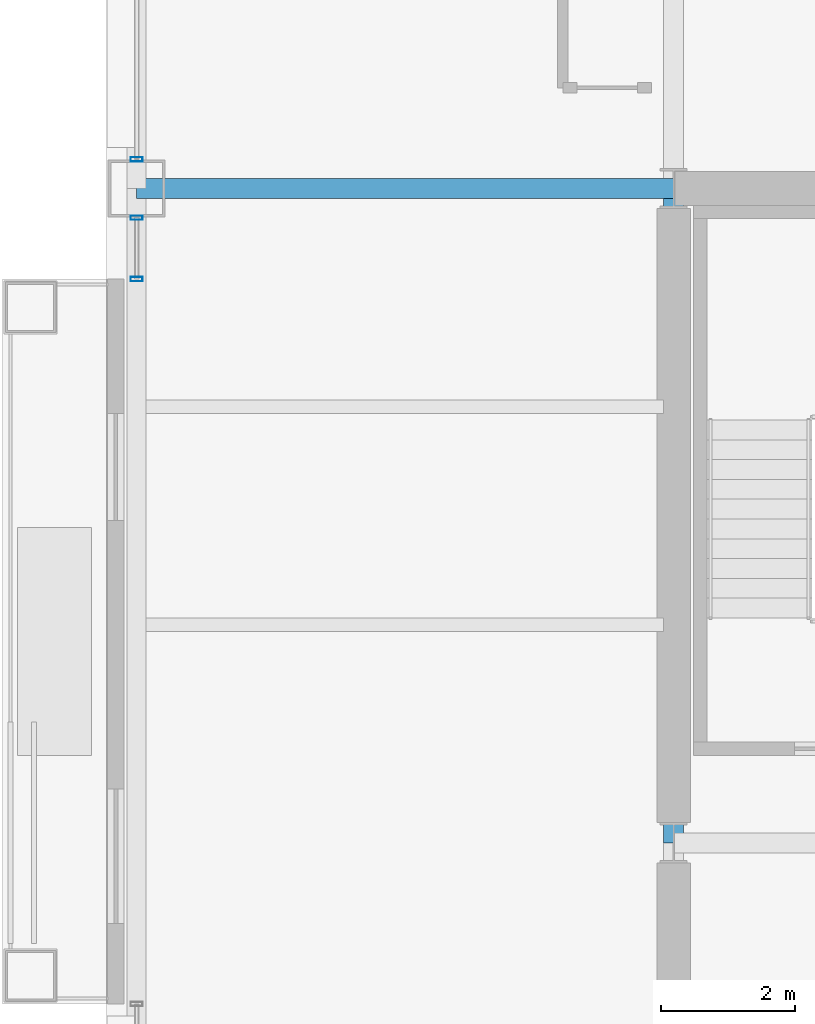
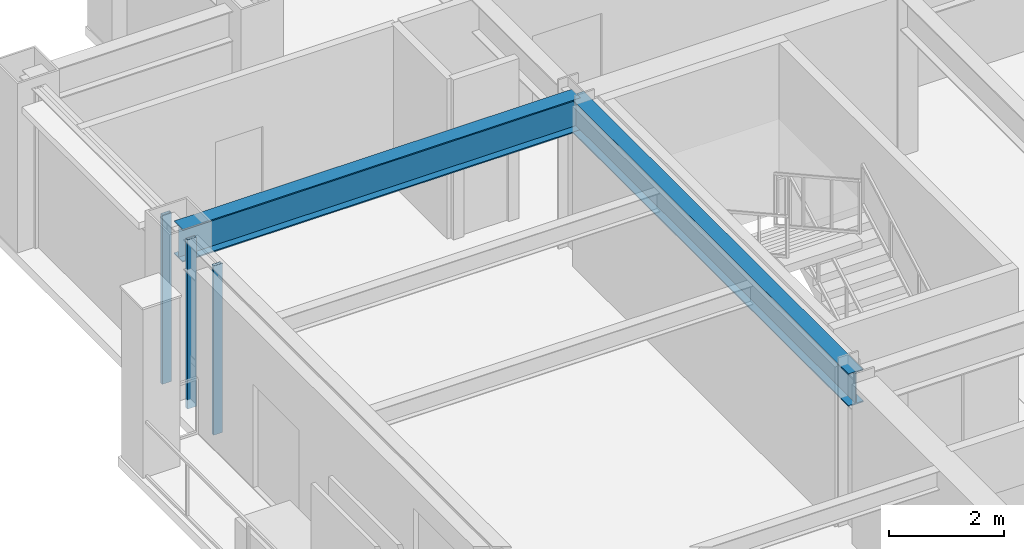
# One storey, part 11 of 31: 3 members, 2 beams, 2 elements without a shape of their own.
"""IFC4 building model written with IfcOpenShell, lengths in metres."""

from ifc_helpers import new_model, si_unit, direction, frame, origin, origin_2d, place, context, subcontext, project, spatial, hollow_rectangle, i_section, extrude, material, layer, layer_set, material_profile, profile_set, type_object, element, aggregate, save


model = new_model("IFC4")

# Units and contexts
model_context = context("Model", 3, precision=1e-05, world=origin(), true_north=direction((0.0, 1.0)))
body_context = subcontext(model_context, "Body", "Model", "MODEL_VIEW")
ifc_project = project(units=[si_unit("LENGTHUNIT", "METRE"), si_unit("AREAUNIT", "SQUARE_METRE"), si_unit("VOLUMEUNIT", "CUBIC_METRE"), si_unit("PLANEANGLEUNIT", "RADIAN"), si_unit("MASSUNIT", "GRAM", prefix="KILO")], contexts=[model_context])

# Site, building, storey
site_placement = place(None, origin())
site = spatial("IfcSite", under=ifc_project, at=site_placement, CompositionType="ELEMENT")
building_placement = place(site_placement, origin())
building = spatial("IfcBuilding", under=site, at=building_placement, Name="Brelmoor Portico Tower", CompositionType="ELEMENT")
storey_placement = place(building_placement, frame((0.0, 0.0, 106.199951171875)))
storey = spatial("IfcBuildingStorey", under=building, at=storey_placement, Name="L27", CompositionType="ELEMENT", Elevation=106.199951171875)

# Beams
ifc_material_1 = material(Name="Steel Q355B", Category="steel")
ifc_material_profile_1 = material_profile(ifc_material_1, i_section(OverallWidth=0.300048828125, OverallDepth=0.699951171875, WebThickness=0.012939453125, FlangeThickness=0.02392578125, at=origin_2d()), Name="HN 700x300x13x24")
ifc_profile_set_1 = profile_set([ifc_material_profile_1], Name="Steel Q355B")
beam_type = type_object("IfcBeamType", Name="BM-PG-700", PredefinedType="BEAM", material=ifc_profile_set_1)
beam_1_placement = place(storey_placement, frame((-14.550048828125, 0.0, 3.050048828125), z_axis=(0.0, 1.0, 0.0), x_axis=(-1.0, 0.0, 0.0)))
element("IfcBeam", 1, at=beam_1_placement, inside=storey, type_object=beam_type, Name="L27 Primary Floor Girder PG-03", PredefinedType="BEAM", context=body_context, shape_type="SweptSolid", body=[
    extrude(i_section(OverallWidth=0.300048828125, OverallDepth=0.699951171875, WebThickness=0.012939453125, FlangeThickness=0.02392578125, at=origin_2d()), origin(), (0.0, 0.0, 1.0), 9.75),
])
beam_2_placement = place(storey_placement, frame((-22.550048828125, 9.75, 3.050048828125), z_axis=(1.0, 0.0, 0.0), x_axis=(0.0, 1.0, 0.0)))
element("IfcBeam", 2, at=beam_2_placement, inside=storey, type_object=beam_type, Name="L27 Primary Floor Girder PG-22", PredefinedType="BEAM", context=body_context, shape_type="SweptSolid", body=[
    extrude(i_section(OverallWidth=0.300048828125, OverallDepth=0.699951171875, WebThickness=0.012939453125, FlangeThickness=0.02392578125, at=origin_2d()), origin(), (0.0, 0.0, 1.0), 8.0),
])

# Curtain wall, members
ifc_material_2 = material(Name="Anodised Aluminium Alloy 6063-T6", Category="aluminium")
ifc_layer_1 = layer(ifc_material_2, 0.179931640625)
ifc_layer_set_1 = layer_set([ifc_layer_1], Name="Anodised Aluminium Alloy 6063-T6")
curtain_wall_type_1 = type_object("IfcCurtainWallType", Name="CW-TOWER-Z2", PredefinedType="NOTDEFINED", material=ifc_layer_set_1)
curtain_wall_1_placement = place(storey_placement, origin())
curtain_wall_1 = element("IfcCurtainWall", 3, at=curtain_wall_1_placement, inside=storey, type_object=curtain_wall_type_1, Name="L27 Curtain Wall CW-L27-3R-1", PredefinedType="NOTDEFINED")
ifc_material_profile_2 = material_profile(ifc_material_2, hollow_rectangle(XDim=0.06494140625, YDim=0.179931640625, WallThickness=0.00390625, at=origin_2d()), Name="ALU MULLION 65x180")
ifc_profile_set_2 = profile_set([ifc_material_profile_2], Name="Anodised Aluminium Alloy 6063-T6")
member_type = type_object("IfcMemberType", Name="MB-CW-MULL-180", PredefinedType="MULLION", material=ifc_profile_set_2)
member_1_placement = place(storey_placement, frame((-22.550048828125, 8.39990234375, -0.199951171875), z_axis=(0.0, 0.0, 1.0), x_axis=(0.0, 1.0, 0.0)))
member_1 = element("IfcMember", 4, at=member_1_placement, type_object=member_type, Name="CW-L27-3R-1 Mullion 00", PredefinedType="MULLION", context=body_context, shape_type="SweptSolid", body=[
    extrude(hollow_rectangle(XDim=0.06494140625, YDim=0.179931640625, WallThickness=0.00390625, at=origin_2d()), origin(), (0.0, 0.0, 1.0), 3.60009765625),
])
member_2_placement = place(storey_placement, frame((-22.550048828125, 9.31494140625, -0.199951171875), z_axis=(0.0, 0.0, 1.0), x_axis=(0.0, 1.0, 0.0)))
member_2 = element("IfcMember", 5, at=member_2_placement, type_object=member_type, Name="CW-L27-3R-1 Mullion 01", PredefinedType="MULLION", context=body_context, shape_type="SweptSolid", body=[
    extrude(hollow_rectangle(XDim=0.06494140625, YDim=0.179931640625, WallThickness=0.00390625, at=origin_2d()), origin(), (0.0, 0.0, 1.0), 3.60009765625),
])
aggregate(curtain_wall_1, [member_1, member_2])

# Curtain wall, member
ifc_layer_2 = layer(ifc_material_2, 0.179931640625)
ifc_layer_set_2 = layer_set([ifc_layer_2], Name="Anodised Aluminium Alloy 6063-T6")
curtain_wall_type_2 = type_object("IfcCurtainWallType", Name="CW-TOWER-Z2-XB", PredefinedType="NOTDEFINED", material=ifc_layer_set_2)
curtain_wall_2_placement = place(storey_placement, origin())
curtain_wall_2 = element("IfcCurtainWall", 6, at=curtain_wall_2_placement, inside=storey, type_object=curtain_wall_type_2, Name="L27 Curtain Wall CW-L27-3R-2", PredefinedType="NOTDEFINED")
member_3_placement = place(storey_placement, frame((-22.550048828125, 10.18505859375, -0.199951171875), z_axis=(0.0, 0.0, 1.0), x_axis=(0.0, 1.0, 0.0)))
member_3 = element("IfcMember", 7, at=member_3_placement, type_object=member_type, Name="CW-L27-3R-2 Mullion 00", PredefinedType="MULLION", context=body_context, shape_type="SweptSolid", body=[
    extrude(hollow_rectangle(XDim=0.06494140625, YDim=0.179931640625, WallThickness=0.00390625, at=origin_2d()), origin(), (0.0, 0.0, 1.0), 3.60009765625),
])
aggregate(curtain_wall_2, [member_3])

save(model, "model.ifc")
